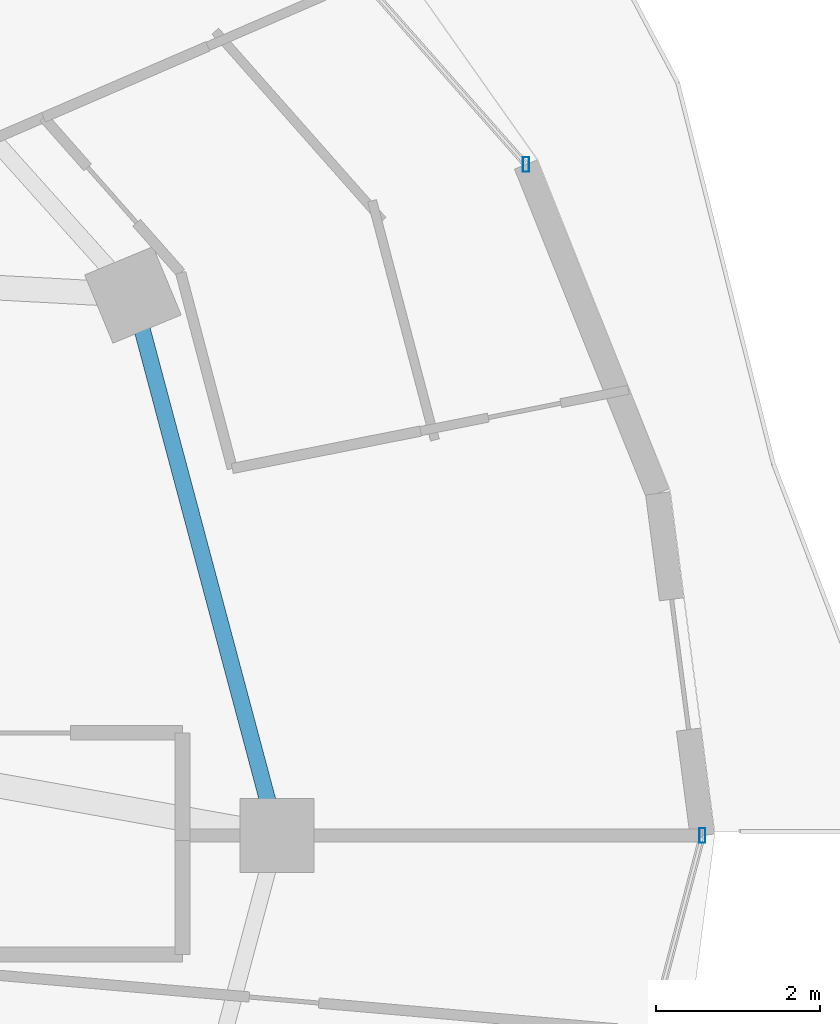
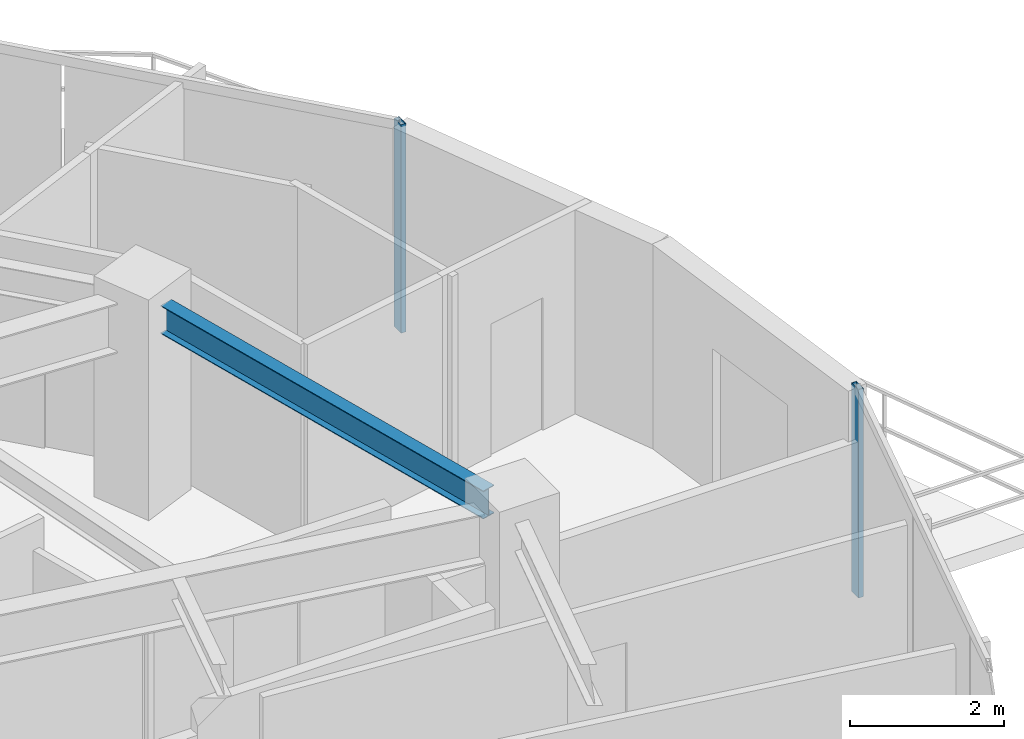
# One storey, part 15 of 34: 2 members, 1 beam, 2 elements without a shape of their own.
"""IFC4 building model written with IfcOpenShell, lengths in metres."""

from ifc_helpers import new_model, si_unit, direction, frame, origin, origin_2d, place, context, subcontext, project, spatial, hollow_rectangle, i_section, extrude, material, material_profile, profile_set, type_object, element, aggregate, save


model = new_model("IFC4")

# Units and contexts
model_context = context("Model", 3, precision=1e-05, world=origin(), true_north=direction((0.0, 1.0)))
body_context = subcontext(model_context, "Body", "Model", "MODEL_VIEW")
ifc_project = project(units=[si_unit("LENGTHUNIT", "METRE"), si_unit("AREAUNIT", "SQUARE_METRE"), si_unit("VOLUMEUNIT", "CUBIC_METRE"), si_unit("PLANEANGLEUNIT", "RADIAN"), si_unit("MASSUNIT", "GRAM", prefix="KILO")], contexts=[model_context])

# Site, building, storey
site_placement = place(None, origin())
site = spatial("IfcSite", under=ifc_project, at=site_placement, CompositionType="ELEMENT")
building_placement = place(site_placement, origin())
building = spatial("IfcBuilding", under=site, at=building_placement, Name="Vorneva Point Tower", CompositionType="ELEMENT")
storey_placement = place(building_placement, frame((0.0, 0.0, 182.60009765625)))
storey = spatial("IfcBuildingStorey", under=building, at=storey_placement, Name="L49", CompositionType="ELEMENT", Elevation=182.60009765625)

# Beam
ifc_material_1 = material(Name="Steel S355", Category="steel")
ifc_material_profile_1 = material_profile(ifc_material_1, i_section(OverallWidth=0.198974609375, OverallDepth=0.446044921875, WebThickness=0.008056640625, FlangeThickness=0.011962890625, at=origin_2d()), Name="45B1")
ifc_profile_set_1 = profile_set([ifc_material_profile_1], Name="Steel S355")
beam_type = type_object("IfcBeamType", Name="BM-SPN-45B1", PredefinedType="SPANDREL", material=ifc_profile_set_1)
beam_placement = place(storey_placement, frame((60.93798828125, 26.42041015625, 3.016845703125), z_axis=(-0.257578258003, 0.966257440336, 0.0), x_axis=(-0.966257440336, -0.257578258003, 0.0)))
element("IfcBeam", 1, at=beam_placement, inside=storey, type_object=beam_type, Name="L49 Perimeter Spandrel Ring Beam 01", PredefinedType="SPANDREL", context=body_context, shape_type="SweptSolid", body=[
    extrude(i_section(OverallWidth=0.198974609375, OverallDepth=0.446044921875, WebThickness=0.008056640625, FlangeThickness=0.011962890625, at=origin_2d()), origin(), (0.0, 0.0, 1.0), 5.94189453125),
])

# Curtain wall, member
ifc_material_2 = material(Name="Pale anodised aluminium", Category="aluminium")
curtain_wall_type = type_object("IfcCurtainWallType", Name="CW-RES-SYS", PredefinedType="NOTDEFINED", material=ifc_material_2)
curtain_wall_1_placement = place(storey_placement, origin())
curtain_wall_1 = element("IfcCurtainWall", 2, at=curtain_wall_1_placement, inside=storey, type_object=curtain_wall_type, Name="L49 Unitised Curtain Wall CW-L49-R01", PredefinedType="NOTDEFINED")
ifc_material_profile_2 = material_profile(ifc_material_2, hollow_rectangle(XDim=0.074951171875, YDim=0.179931640625, WallThickness=0.00390625, at=origin_2d()), Name="AL-MUL 180x75x4")
ifc_profile_set_2 = profile_set([ifc_material_profile_2], Name="Pale anodised aluminium")
member_type = type_object("IfcMemberType", Name="CW-MUL-180", PredefinedType="MULLION", material=ifc_profile_set_2)
member_1_placement = place(storey_placement, frame((64.0810546875, 34.17041015625, -0.0400390625), z_axis=(0.0, 0.0, 1.0), x_axis=(1.0, 0.0, 0.0)))
member_1 = element("IfcMember", 3, at=member_1_placement, type_object=member_type, Name="CW-L49-R01 Mullion 01", PredefinedType="MULLION", context=body_context, shape_type="SweptSolid", body=[
    extrude(hollow_rectangle(XDim=0.074951171875, YDim=0.179931640625, WallThickness=0.00390625, at=origin_2d()), origin(), (0.0, 0.0, 1.0), 3.31005859375),
])
aggregate(curtain_wall_1, [member_1])

curtain_wall_2_placement = place(storey_placement, origin())
curtain_wall_2 = element("IfcCurtainWall", 4, at=curtain_wall_2_placement, inside=storey, type_object=curtain_wall_type, Name="L49 Unitised Curtain Wall CW-L49-R04", PredefinedType="NOTDEFINED")
member_2_placement = place(storey_placement, frame((66.22998046875, 26.0, -0.0400390625), z_axis=(0.0, 0.0, 1.0), x_axis=(1.0, 0.0, 0.0)))
member_2 = element("IfcMember", 5, at=member_2_placement, type_object=member_type, Name="CW-L49-R04 Mullion 03", PredefinedType="MULLION", context=body_context, shape_type="SweptSolid", body=[
    extrude(hollow_rectangle(XDim=0.074951171875, YDim=0.179931640625, WallThickness=0.00390625, at=origin_2d()), origin(), (0.0, 0.0, 1.0), 3.31005859375),
])
aggregate(curtain_wall_2, [member_2])

save(model, "model.ifc")
